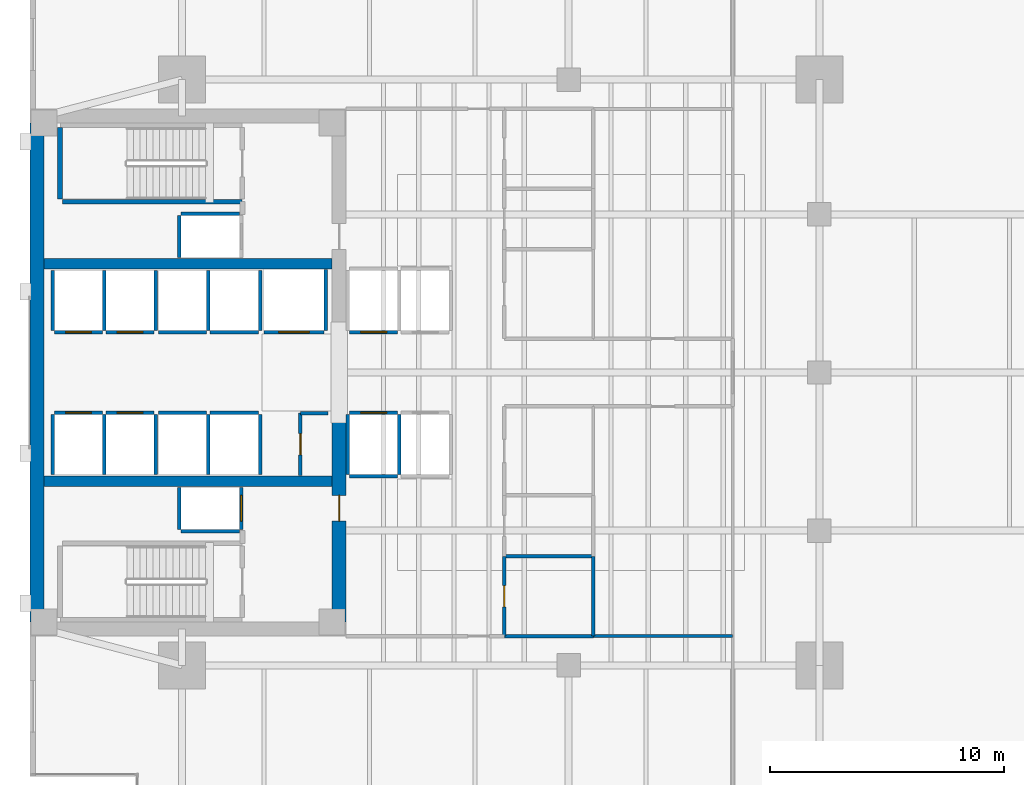
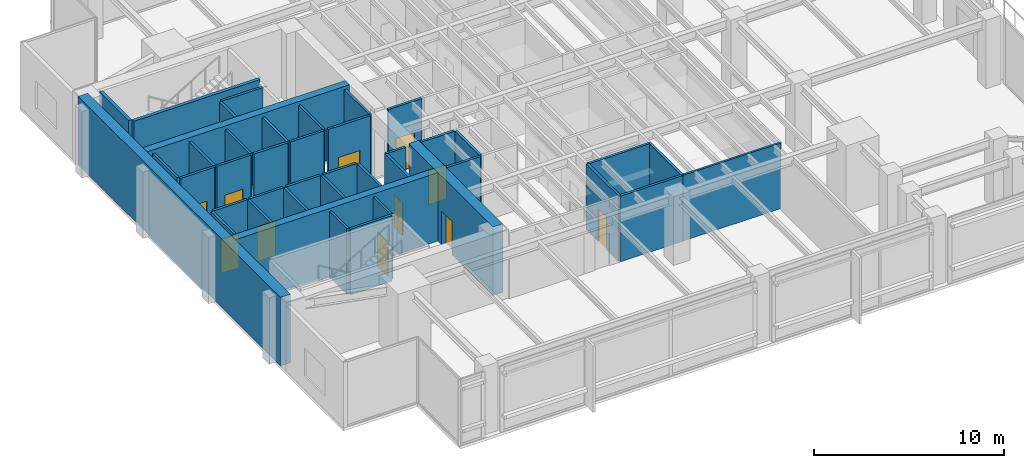
# One storey, part 8 of 14: 43 walls, 11 doors, 11 openings.
"""IFC4 building model written with IfcOpenShell, lengths in metres."""

import ifcopenshell
import ifcopenshell.guid

model = None  # the IFC model being written
_history = None  # IfcOwnerHistory: only IFC2X3 demands one
_inside = {}  # id of a spatial element -> (the spatial element, [elements in it])
_under = {}  # id of a project, library or spatial element -> (it, [spatial elements below it])
_declared = {}  # id of a project -> (the project, [libraries it declares])
_typed = {}  # id of a type object -> (the type object, [elements of that type])
_made_of = {}  # id of a material, layer set ... -> (it, [elements and type objects made of it])


def new_model(schema):
    """Start an empty IFC model of exactly this schema.

    Asked for "IFC4X3", IfcOpenShell would pick the latest addendum, in which some entities
    have other attributes; the version numbers below select the first issue.
    IFC2X3 requires an IfcOwnerHistory on every rooted entity: one is made here for all.
    """
    global model, _history
    if schema == "IFC4X3":
        model = ifcopenshell.file(schema_version=(4, 3, 0, 0))
    else:
        model = ifcopenshell.file(schema=schema)
    _inside.clear()
    _under.clear()
    _declared.clear()
    _typed.clear()
    _made_of.clear()
    _history = None
    if model.schema == "IFC2X3":
        org = make("IfcOrganization", Name="unknown")
        user = make(
            "IfcPersonAndOrganization",
            ThePerson=make("IfcPerson", FamilyName="unknown"),
            TheOrganization=org,
        )
        app = make(
            "IfcApplication",
            ApplicationDeveloper=org,
            Version="unknown",
            ApplicationFullName="unknown",
            ApplicationIdentifier="unknown",
        )
        _history = make(
            "IfcOwnerHistory",
            OwningUser=user,
            OwningApplication=app,
            ChangeAction="ADDED",
            CreationDate=0,
        )
    return model


def make(cls, **values):
    """One entity of the class cls with the attributes given. An attribute that is None is left unset."""
    return model.create_entity(
        cls, **{name: value for name, value in values.items() if value is not None}
    )


def rooted(cls, **values):
    """An entity with a GlobalId (a new one), such as an element, a storey or a relation."""
    return make(cls, GlobalId=ifcopenshell.guid.new(), OwnerHistory=_history, **values)


def si_unit(unit_type, name, prefix=None):
    """IfcSIUnit, for example si_unit("LENGTHUNIT", "METRE", prefix="MILLI")."""
    return make("IfcSIUnit", UnitType=unit_type, Prefix=prefix, Name=name)


def assignment(units):
    """IfcUnitAssignment: the units of a project."""
    return None if units is None else make("IfcUnitAssignment", Units=units)


def point(xyz):
    """IfcCartesianPoint."""
    return None if xyz is None else make("IfcCartesianPoint", Coordinates=xyz)


def direction(xyz):
    """IfcDirection."""
    return None if xyz is None else make("IfcDirection", DirectionRatios=xyz)


def frame(location, z_axis=None, x_axis=None):
    """IfcAxis2Placement3D, a coordinate frame: its origin and axes. An axis left out is left unset."""
    return make(
        "IfcAxis2Placement3D",
        Location=point(location),
        Axis=direction(z_axis),
        RefDirection=direction(x_axis),
    )


def frame_2d(location, x_axis=None):
    """IfcAxis2Placement2D, a coordinate frame in the plane: its origin and x axis."""
    return make(
        "IfcAxis2Placement2D", Location=point(location), RefDirection=direction(x_axis)
    )


def origin():
    """The frame at (0, 0, 0) with its axes left unset."""
    return frame((0.0, 0.0, 0.0))


def place(relative_to, where):
    """IfcLocalPlacement: puts the frame where relative to a parent placement (None: the world)."""
    return make(
        "IfcLocalPlacement", PlacementRelTo=relative_to, RelativePlacement=where
    )


def context(
    kind, dimensions, precision=None, world=None, true_north=None, identifier=None
):
    """IfcGeometricRepresentationContext, for example the 3D "Model" context."""
    return make(
        "IfcGeometricRepresentationContext",
        ContextIdentifier=identifier,
        ContextType=kind,
        CoordinateSpaceDimension=dimensions,
        Precision=precision,
        WorldCoordinateSystem=world,
        TrueNorth=true_north,
    )


def subcontext(parent, identifier, kind, view, scale=None):
    """IfcGeometricRepresentationSubContext, for example "Body" below "Model"."""
    return make(
        "IfcGeometricRepresentationSubContext",
        ContextIdentifier=identifier,
        ContextType=kind,
        ParentContext=parent,
        TargetScale=scale,
        TargetView=view,
    )


def project(units=None, contexts=None):
    """IfcProject with its units and contexts."""
    return rooted(
        "IfcProject",
        Name="project",
        RepresentationContexts=contexts,
        UnitsInContext=assignment(units),
    )


def spatial(cls, under=None, at=None, **own):
    """A site, building, storey or space (cls), placed at a placement, below another one or the project."""
    s = rooted(cls, ObjectPlacement=at, **own)
    if under is not None:
        _under.setdefault(under.id(), (under, []))[1].append(s)
    return s


def profile(cls, at=None, kind="AREA", **sizes):
    """A parametric profile (cls). Its sizes go by their IFC names, for example OverallWidth=200.0."""
    return make(cls, ProfileType=kind, Position=at, **sizes)


def rectangle(**sizes):
    """IfcRectangleProfileDef."""
    return profile("IfcRectangleProfileDef", **sizes)


def extrude(swept, where, along, depth):
    """IfcExtrudedAreaSolid: the profile swept, set in the frame where, extruded along a direction by depth."""
    return make(
        "IfcExtrudedAreaSolid",
        SweptArea=swept,
        Position=where,
        ExtrudedDirection=direction(along),
        Depth=depth,
    )


def shape(context_of_items, identifier, shape_type, items):
    """IfcShapeRepresentation: the items that make up one representation, for example the "Body"."""
    return make(
        "IfcShapeRepresentation",
        ContextOfItems=context_of_items,
        RepresentationIdentifier=identifier,
        RepresentationType=shape_type,
        Items=items,
    )


def material(Name=None, Category=None):
    """IfcMaterial."""
    return make("IfcMaterial", Name=Name, Category=Category)


def layer(
    of_material, thickness, ventilated=None, Name=None, Category=None, Priority=None
):
    """IfcMaterialLayer: one layer of a wall or slab, of a material (None: an air gap)."""
    return make(
        "IfcMaterialLayer",
        Material=of_material,
        LayerThickness=thickness,
        IsVentilated=ventilated,
        Name=Name,
        Category=Category,
        Priority=Priority,
    )


def layer_set(layers, Name=None):
    """IfcMaterialLayerSet."""
    return make("IfcMaterialLayerSet", MaterialLayers=layers, LayerSetName=Name)


def made_of(thing, what):
    """Note that an element or type object is made of a material, layer set ...; save() writes the relation."""
    if what is not None:
        _made_of.setdefault(what.id(), (what, []))[1].append(thing)
    return thing


def type_object(cls, material=None, **own):
    """A type object (cls), such as IfcWallType, which elements share."""
    return made_of(rooted(cls, **own), material)


def element(
    cls,
    number,
    at=None,
    inside=None,
    cuts=None,
    type_object=None,
    material=None,
    context=None,
    identifier="Body",
    shape_type=None,
    held_by="IfcProductDefinitionShape",
    body=None,
    shapes=None,
    **own,
):
    """One element of the class cls, such as IfcWall. Its Tag is "e" and its number.

    at: its placement. inside: the storey or other place that contains it. cuts: it is an
    opening in that element (IfcRelVoidsElement). A single representation is given by context,
    identifier, shape_type and body (its items); several are given by shapes. held_by: the class
    of the entity that holds the representations. save() writes the other relations.
    """
    e = rooted(cls, Tag="e%d" % number, ObjectPlacement=at, **own)
    if body is not None:
        shapes = [shape(context, identifier, shape_type, body)]
    if shapes is not None:
        e.Representation = make(held_by, Representations=shapes)
    if inside is not None:
        _inside.setdefault(inside.id(), (inside, []))[1].append(e)
    if cuts is not None:
        rooted(
            "IfcRelVoidsElement", RelatingBuildingElement=cuts, RelatedOpeningElement=e
        )
    if type_object is not None:
        _typed.setdefault(type_object.id(), (type_object, []))[1].append(e)
    return made_of(e, material)


def fill(opening, filler):
    """IfcRelFillsElement: the door or window that sits in an opening."""
    return rooted(
        "IfcRelFillsElement",
        RelatingOpeningElement=opening,
        RelatedBuildingElement=filler,
    )


def aggregate(whole, parts):
    """IfcRelAggregates: a whole, such as a stair, and the parts it consists of."""
    return rooted("IfcRelAggregates", RelatingObject=whole, RelatedObjects=parts)


def save(model, path):
    """Write the relations noted so far, then the file.

    IfcRelAggregates (storeys below a building ...), IfcRelContainedInSpatialStructure (elements
    in a storey), IfcRelDefinesByType, IfcRelAssociatesMaterial and IfcRelDeclares: one each for
    every whole, place, type object, material and project.
    """
    for whole, parts in _under.values():
        aggregate(whole, parts)
    for where, things in _inside.values():
        rooted(
            "IfcRelContainedInSpatialStructure",
            RelatedElements=things,
            RelatingStructure=where,
        )
    for kind, things in _typed.values():
        rooted("IfcRelDefinesByType", RelatedObjects=things, RelatingType=kind)
    for what, things in _made_of.values():
        rooted("IfcRelAssociatesMaterial", RelatedObjects=things, RelatingMaterial=what)
    for by, libraries in _declared.values():
        rooted("IfcRelDeclares", RelatingContext=by, RelatedDefinitions=libraries)
    model.write(path)


model = new_model("IFC4")

# Units and contexts
model_context = context("Model", 3, precision=1e-05, world=origin(), true_north=direction((0.0, 1.0)))
body_context = subcontext(model_context, "Body", "Model", "MODEL_VIEW")
ifc_project = project(units=[si_unit("LENGTHUNIT", "METRE"), si_unit("AREAUNIT", "SQUARE_METRE"), si_unit("VOLUMEUNIT", "CUBIC_METRE"), si_unit("PLANEANGLEUNIT", "RADIAN"), si_unit("MASSUNIT", "GRAM", prefix="KILO")], contexts=[model_context])

# Site, building, storey
site_placement = place(None, origin())
site = spatial("IfcSite", under=ifc_project, at=site_placement, CompositionType="ELEMENT")
building_placement = place(site_placement, origin())
building = spatial("IfcBuilding", under=site, at=building_placement, Name="Kinhvarn Gate Tower", CompositionType="ELEMENT")
storey_placement = place(building_placement, frame((0.0, 0.0, 97.85009765625)))
storey = spatial("IfcBuildingStorey", under=building, at=storey_placement, Name="L25", CompositionType="ELEMENT", Elevation=97.85009765625)

# Walls
ifc_material_1 = material(Name="Concrete C50/60", Category="concrete")
ifc_layer_1 = layer(ifc_material_1, 0.449951171875)
ifc_layer_set_1 = layer_set([ifc_layer_1], Name="Concrete C50/60")
wall_type_1 = type_object("IfcWallType", Name="WL-CORE-450", PredefinedType="SHEAR", material=ifc_layer_set_1)
for number, where, z_axis, x_axis, name in (
    (1, (5.10009765625, 20.60009765625, 0.0), (0.0, 0.0, 1.0), (1.0, 0.0, 0.0), "Core South Spine Shear Wall L25 450 mm"),
    (2, (5.10009765625, 29.89990234375, 0.0), (0.0, 0.0, 1.0), (1.0, 0.0, 0.0), "Core North Spine Shear Wall L25 450 mm"),
):
    element("IfcWall", number, at=place(storey_placement, frame(where, z_axis=z_axis, x_axis=x_axis)), inside=storey, type_object=wall_type_1, Name=name, PredefinedType="SHEAR", context=body_context, shape_type="SweptSolid", body=[
        extrude(rectangle(XDim=12.2998046875, YDim=0.449951171875, at=frame_2d((6.14990234375, 0.0))), origin(), (0.0, 0.0, 1.0), 4.39990234375),
    ])

# Wall, opening, door
ifc_material_2 = material(Name="Concrete C60/75", Category="concrete")
ifc_layer_2 = layer(ifc_material_2, 0.60009765625)
ifc_layer_set_2 = layer_set([ifc_layer_2], Name="Concrete C60/75")
wall_type_2 = type_object("IfcWallType", Name="WL-CORE-600", PredefinedType="SHEAR", material=ifc_layer_set_2)
wall_1_placement = place(storey_placement, frame((17.699951171875, 14.60009765625, 0.0), z_axis=(0.0, 0.0, 1.0), x_axis=(0.0, 1.0, 0.0)))
wall_1 = element("IfcWall", 3, at=wall_1_placement, inside=storey, type_object=wall_type_2, Name="Core East-South Shear Pier L25 600 mm", PredefinedType="SHEAR", context=body_context, shape_type="SweptSolid", body=[
    extrude(rectangle(XDim=8.849853515625, YDim=0.60009765625, at=frame_2d((4.4248046875, 0.0))), origin(), (0.0, 0.0, 1.0), 4.39990234375),
])
opening_1_placement = place(wall_1_placement, frame((4.300048828125, 0.0, 0.0)))
opening_1 = element("IfcOpeningElement", 4, at=opening_1_placement, cuts=wall_1, Name="Opening FD-02", PredefinedType="OPENING", context=body_context, shape_type="SweptSolid", body=[
    extrude(rectangle(XDim=1.10009765625, YDim=2.14990234375, at=frame_2d((0.550048828125, 1.074951171875))), frame((0.0, 0.31005859375, 0.0), z_axis=(0.0, -1.0, 0.0), x_axis=(1.0, 0.0, 0.0)), (0.0, 0.0, 1.0), 0.6201171875),
])
ifc_material_3 = material(Name="Anodised aluminium AW-6063", Category="aluminium")
door_type_1 = type_object("IfcDoorType", Name="DR-FD-1100", OperationType="NOTDEFINED", PredefinedType="DOOR", material=ifc_material_3)
door_1_placement = place(opening_1_placement, origin())
door_1 = element("IfcDoor", 5, at=door_1_placement, inside=storey, type_object=door_type_1, Name="Firefighting Lobby Core Door (L25)", OperationType="SINGLE_SWING_RIGHT", OverallHeight=2.14990234375, OverallWidth=1.10009765625, PredefinedType="DOOR", context=body_context, shape_type="SweptSolid", body=[
    extrude(rectangle(XDim=1.10009765625, YDim=2.14990234375, at=frame_2d((0.550048828125, 1.074951171875))), frame((0.0, 0.02490234375, 0.0), z_axis=(0.0, -1.0, 0.0), x_axis=(1.0, 0.0, 0.0)), (0.0, 0.0, 1.0), 0.050048828125),
])
fill(opening_1, door_1)

# Walls
ifc_layer_3 = layer(ifc_material_2, 0.60009765625)
ifc_layer_set_3 = layer_set([ifc_layer_3], Name="Concrete C60/75")
wall_type_3 = type_object("IfcWallType", Name="WL-COREX-600", PredefinedType="SHEAR", material=ifc_layer_set_3)
wall_2_placement = place(storey_placement, frame((4.800048828125, 14.60009765625, 0.0), z_axis=(0.0, 0.0, 1.0), x_axis=(0.0, 1.0, 0.0)))
element("IfcWall", 6, at=wall_2_placement, inside=storey, type_object=wall_type_3, Name="Core West Shear Wall L25 600 mm", PredefinedType="SHEAR", context=body_context, shape_type="SweptSolid", body=[
    extrude(rectangle(XDim=21.2998046875, YDim=0.60009765625, at=frame_2d((10.64990234375, 0.0))), origin(), (0.0, 0.0, 1.0), 4.39990234375),
])
ifc_material_4 = material(Name="Gypsum acoustic partition board")
ifc_layer_4 = layer(ifc_material_4, 0.14990234375)
ifc_layer_set_4 = layer_set([ifc_layer_4], Name="Gypsum acoustic partition board")
wall_type_4 = type_object("IfcWallType", Name="WL-PLM-150", PredefinedType="PLUMBINGWALL", material=ifc_layer_set_4)
for number, where, z_axis, x_axis, name in (
    (7, (24.75, 17.39990234375, 0.0), (0.0, 0.0, 1.0), (1.0, 0.0, 0.0), "Interior Partition PLW-150 (L25)"),
    (8, (24.75, 14.0, 0.0), (0.0, 0.0, 1.0), (1.0, 0.0, 0.0), "Interior Partition PLW-150 (L25)"),
):
    element("IfcWall", number, at=place(storey_placement, frame(where, z_axis=z_axis, x_axis=x_axis)), inside=storey, type_object=wall_type_4, Name=name, PredefinedType="PLUMBINGWALL", context=body_context, shape_type="SweptSolid", body=[
        extrude(rectangle(XDim=3.800048828125, YDim=0.14990234375, at=frame_2d((1.89990234375, 0.0))), origin(), (0.0, 0.0, 1.0), 4.219970703125),
    ])
wall_3_placement = place(storey_placement, frame((28.550048828125, 14.0, 0.0), z_axis=(0.0, 0.0, 1.0), x_axis=(0.0, 1.0, 0.0)))
element("IfcWall", 9, at=wall_3_placement, inside=storey, type_object=wall_type_4, Name="Interior Partition PLW-150 (L25)", PredefinedType="PLUMBINGWALL", context=body_context, shape_type="SweptSolid", body=[
    extrude(rectangle(XDim=3.39990234375, YDim=0.14990234375, at=frame_2d((1.699951171875, 0.0))), origin(), (0.0, 0.0, 1.0), 4.219970703125),
])

# Wall, opening, door
ifc_layer_5 = layer(ifc_material_4, 0.14990234375)
ifc_layer_set_5 = layer_set([ifc_layer_5], Name="Gypsum acoustic partition board")
wall_type_5 = type_object("IfcWallType", Name="WL-PLM-150F", PredefinedType="PLUMBINGWALL", material=ifc_layer_set_5)
wall_4_placement = place(storey_placement, frame((24.75, 14.0, 0.0), z_axis=(0.0, 0.0, 1.0), x_axis=(0.0, 1.0, 0.0)))
wall_4 = element("IfcWall", 10, at=wall_4_placement, inside=storey, type_object=wall_type_5, Name="Interior Partition PLW-150F (L25)", PredefinedType="PLUMBINGWALL", context=body_context, shape_type="SweptSolid", body=[
    extrude(rectangle(XDim=3.39990234375, YDim=0.14990234375, at=frame_2d((1.699951171875, 0.0))), origin(), (0.0, 0.0, 1.0), 4.219970703125),
])
opening_2_placement = place(wall_4_placement, frame((1.25, 0.0, 0.0)))
opening_2 = element("IfcOpeningElement", 11, at=opening_2_placement, cuts=wall_4, Name="Opening FD-04", PredefinedType="OPENING", context=body_context, shape_type="SweptSolid", body=[
    extrude(rectangle(XDim=0.89990234375, YDim=2.10009765625, at=frame_2d((0.449951171875, 1.050048828125))), frame((0.0, 0.0849609375, 0.0), z_axis=(0.0, -1.0, 0.0), x_axis=(1.0, 0.0, 0.0)), (0.0, 0.0, 1.0), 0.169921875),
])
door_type_2 = type_object("IfcDoorType", Name="DR-FD-900", OperationType="NOTDEFINED", PredefinedType="DOOR", material=ifc_material_3)
door_2_placement = place(opening_2_placement, origin())
door_2 = element("IfcDoor", 12, at=door_2_placement, inside=storey, type_object=door_type_2, Name="Rated Riser & Service Closet Fire Door 900x2100 mm (L25)", OperationType="SINGLE_SWING_LEFT", OverallHeight=2.10009765625, OverallWidth=0.89990234375, PredefinedType="DOOR", context=body_context, shape_type="SweptSolid", body=[
    extrude(rectangle(XDim=0.89990234375, YDim=2.10009765625, at=frame_2d((0.449951171875, 1.050048828125))), frame((0.0, 0.02490234375, 0.0), z_axis=(0.0, -1.0, 0.0), x_axis=(1.0, 0.0, 0.0)), (0.0, 0.0, 1.0), 0.050048828125),
])
fill(opening_2, door_2)

# Wall
ifc_layer_6 = layer(ifc_material_4, 0.1201171875)
ifc_layer_set_6 = layer_set([ifc_layer_6], Name="Gypsum acoustic partition board")
wall_type_6 = type_object("IfcWallType", Name="WL-PRT-120", PredefinedType="PARTITIONING", material=ifc_layer_set_6)
wall_5_placement = place(storey_placement, frame((28.550048828125, 14.0, 0.0), z_axis=(0.0, 0.0, 1.0), x_axis=(1.0, 0.0, 0.0)))
element("IfcWall", 13, at=wall_5_placement, inside=storey, type_object=wall_type_6, Name="Interior Partition PW-120 (L25)", PredefinedType="PARTITIONING", context=body_context, shape_type="SweptSolid", body=[
    extrude(rectangle(XDim=5.949951171875, YDim=0.1201171875, at=frame_2d((2.97509765625, 0.0))), origin(), (0.0, 0.0, 1.0), 4.219970703125),
])

# Wall, opening, door
ifc_layer_7 = layer(ifc_material_4, 0.14990234375)
ifc_layer_set_7 = layer_set([ifc_layer_7], Name="Gypsum acoustic partition board")
wall_type_7 = type_object("IfcWallType", Name="WL-PRT-150F", PredefinedType="PARTITIONING", material=ifc_layer_set_7)
wall_6_placement = place(storey_placement, frame((16.050048828125, 20.85009765625, 0.0), z_axis=(0.0, 0.0, 1.0), x_axis=(0.0, 1.0, 0.0)))
wall_6 = element("IfcWall", 14, at=wall_6_placement, inside=storey, type_object=wall_type_7, Name="Interior Partition PW-150F (L25)", PredefinedType="PARTITIONING", context=body_context, shape_type="SweptSolid", body=[
    extrude(rectangle(XDim=2.669921875, YDim=0.14990234375, at=frame_2d((1.3349609375, 0.0))), origin(), (0.0, 0.0, 1.0), 4.219970703125),
])
opening_3_placement = place(wall_6_placement, frame((0.885009765625, 0.0, 0.0)))
opening_3 = element("IfcOpeningElement", 15, at=opening_3_placement, cuts=wall_6, Name="Opening FD-04", PredefinedType="OPENING", context=body_context, shape_type="SweptSolid", body=[
    extrude(rectangle(XDim=0.89990234375, YDim=2.10009765625, at=frame_2d((0.449951171875, 1.050048828125))), frame((0.0, 0.0849609375, 0.0), z_axis=(0.0, -1.0, 0.0), x_axis=(1.0, 0.0, 0.0)), (0.0, 0.0, 1.0), 0.169921875),
])
door_3_placement = place(opening_3_placement, origin())
door_3 = element("IfcDoor", 16, at=door_3_placement, inside=storey, type_object=door_type_2, Name="Rated Riser & Service Closet Fire Door 900x2100 mm (L25)", OperationType="SINGLE_SWING_RIGHT", OverallHeight=2.10009765625, OverallWidth=0.89990234375, PredefinedType="DOOR", context=body_context, shape_type="SweptSolid", body=[
    extrude(rectangle(XDim=0.89990234375, YDim=2.10009765625, at=frame_2d((0.449951171875, 1.050048828125))), frame((0.0, 0.02490234375, 0.0), z_axis=(0.0, -1.0, 0.0), x_axis=(1.0, 0.0, 0.0)), (0.0, 0.0, 1.0), 0.050048828125),
])
fill(opening_3, door_3)

# Walls
wall_7_placement = place(storey_placement, frame((16.050048828125, 23.52001953125, 0.0), z_axis=(0.0, 0.0, 1.0), x_axis=(1.0, 0.0, 0.0)))
element("IfcWall", 17, at=wall_7_placement, inside=storey, type_object=wall_type_7, Name="Interior Partition PW-150F (L25)", PredefinedType="PARTITIONING", context=body_context, shape_type="SweptSolid", body=[
    extrude(rectangle(XDim=1.169921875, YDim=0.14990234375, at=frame_2d((0.5849609375, 0.0))), origin(), (0.0, 0.0, 1.0), 4.219970703125),
])
ifc_layer_8 = layer(ifc_material_4, 0.14990234375)
ifc_layer_set_8 = layer_set([ifc_layer_8], Name="Gypsum acoustic partition board")
wall_type_8 = type_object("IfcWallType", Name="WL-SHF-150", PredefinedType="PARTITIONING", material=ifc_layer_set_8)
wall_8_placement = place(storey_placement, frame((18.14990234375, 20.824951171875, 0.0), z_axis=(0.0, 0.0, 1.0), x_axis=(1.0, 0.0, 0.0)))
element("IfcWall", 18, at=wall_8_placement, inside=storey, type_object=wall_type_8, Name="Elevator PL-01 Hoistway Wall S (L25)", PredefinedType="PARTITIONING", context=body_context, shape_type="SweptSolid", body=[
    extrude(rectangle(XDim=2.050048828125, YDim=0.14990234375, at=frame_2d((1.02490234375, 0.0))), origin(), (0.0, 0.0, 1.0), 4.219970703125),
])

# Wall, opening, door
wall_9_placement = place(storey_placement, frame((18.14990234375, 23.52490234375, 0.0), z_axis=(0.0, 0.0, 1.0), x_axis=(1.0, 0.0, 0.0)))
wall_9 = element("IfcWall", 19, at=wall_9_placement, inside=storey, type_object=wall_type_8, Name="Elevator PL-01 Landing Wall (L25)", PredefinedType="PARTITIONING", context=body_context, shape_type="SweptSolid", body=[
    extrude(rectangle(XDim=2.050048828125, YDim=0.14990234375, at=frame_2d((1.02490234375, 0.0))), origin(), (0.0, 0.0, 1.0), 4.219970703125),
])
opening_4_placement = place(wall_9_placement, frame((0.47509765625, 0.0, 0.0)))
opening_4 = element("IfcOpeningElement", 20, at=opening_4_placement, cuts=wall_9, Name="Opening LD-01", PredefinedType="OPENING", context=body_context, shape_type="SweptSolid", body=[
    extrude(rectangle(XDim=1.10009765625, YDim=2.199951171875, at=frame_2d((0.550048828125, 1.10009765625))), frame((0.0, 0.0849609375, 0.0), z_axis=(0.0, -1.0, 0.0), x_axis=(1.0, 0.0, 0.0)), (0.0, 0.0, 1.0), 0.169921875),
])
door_type_3 = type_object("IfcDoorType", Name="DR-LND-PAS", OperationType="NOTDEFINED", PredefinedType="DOOR", material=ifc_material_3)
door_4_placement = place(opening_4_placement, origin())
door_4 = element("IfcDoor", 21, at=door_4_placement, inside=storey, type_object=door_type_3, Name="Elevator PL-01 Sliding Landing Door (L25)", OperationType="DOUBLE_DOOR_SLIDING", OverallHeight=2.199951171875, OverallWidth=1.10009765625, PredefinedType="DOOR", context=body_context, shape_type="SweptSolid", body=[
    extrude(rectangle(XDim=1.10009765625, YDim=2.199951171875, at=frame_2d((0.550048828125, 1.10009765625))), frame((0.0, 0.02490234375, 0.0), z_axis=(0.0, -1.0, 0.0), x_axis=(1.0, 0.0, 0.0)), (0.0, 0.0, 1.0), 0.050048828125),
])
fill(opening_4, door_4)

# Walls
for number, where, z_axis, x_axis, name in (
    (22, (18.074951171875, 20.89990234375, 0.0), (0.0, 0.0, 1.0), (0.0, 1.0, 0.0), "Elevator PL-01 Hoistway Wall W (L25)"),
    (23, (20.27490234375, 20.89990234375, 0.0), (0.0, 0.0, 1.0), (0.0, 1.0, 0.0), "Elevator PL-01 Hoistway Wall E (L25)"),
):
    element("IfcWall", number, at=place(storey_placement, frame(where, z_axis=z_axis, x_axis=x_axis)), inside=storey, type_object=wall_type_8, Name=name, PredefinedType="PARTITIONING", context=body_context, shape_type="SweptSolid", body=[
        extrude(rectangle(XDim=2.550048828125, YDim=0.14990234375, at=frame_2d((1.27490234375, 0.0))), origin(), (0.0, 0.0, 1.0), 4.219970703125),
    ])

# Wall, opening, door
wall_10_placement = place(storey_placement, frame((18.14990234375, 26.97509765625, 0.0), z_axis=(0.0, 0.0, 1.0), x_axis=(1.0, 0.0, 0.0)))
wall_10 = element("IfcWall", 24, at=wall_10_placement, inside=storey, type_object=wall_type_8, Name="Elevator PL-03 Landing Wall (L25)", PredefinedType="PARTITIONING", context=body_context, shape_type="SweptSolid", body=[
    extrude(rectangle(XDim=2.050048828125, YDim=0.14990234375, at=frame_2d((1.02490234375, 0.0))), origin(), (0.0, 0.0, 1.0), 4.219970703125),
])
opening_5_placement = place(wall_10_placement, frame((0.47509765625, 0.0, 0.0)))
opening_5 = element("IfcOpeningElement", 25, at=opening_5_placement, cuts=wall_10, Name="Opening LD-01", PredefinedType="OPENING", context=body_context, shape_type="SweptSolid", body=[
    extrude(rectangle(XDim=1.10009765625, YDim=2.199951171875, at=frame_2d((0.550048828125, 1.10009765625))), frame((0.0, 0.0849609375, 0.0), z_axis=(0.0, -1.0, 0.0), x_axis=(1.0, 0.0, 0.0)), (0.0, 0.0, 1.0), 0.169921875),
])
door_5_placement = place(opening_5_placement, origin())
door_5 = element("IfcDoor", 26, at=door_5_placement, inside=storey, type_object=door_type_3, Name="Elevator PL-03 Sliding Landing Door (L25)", OperationType="DOUBLE_DOOR_SLIDING", OverallHeight=2.199951171875, OverallWidth=1.10009765625, PredefinedType="DOOR", context=body_context, shape_type="SweptSolid", body=[
    extrude(rectangle(XDim=1.10009765625, YDim=2.199951171875, at=frame_2d((0.550048828125, 1.10009765625))), frame((0.0, 0.02490234375, 0.0), z_axis=(0.0, -1.0, 0.0), x_axis=(1.0, 0.0, 0.0)), (0.0, 0.0, 1.0), 0.050048828125),
])
fill(opening_5, door_5)

wall_11_placement = place(storey_placement, frame((5.550048828125, 23.52490234375, 0.0), z_axis=(0.0, 0.0, 1.0), x_axis=(1.0, 0.0, 0.0)))
wall_11 = element("IfcWall", 27, at=wall_11_placement, inside=storey, type_object=wall_type_8, Name="Elevator PM-05 Landing Wall (L25)", PredefinedType="PARTITIONING", context=body_context, shape_type="SweptSolid", body=[
    extrude(rectangle(XDim=2.050048828125, YDim=0.14990234375, at=frame_2d((1.02490234375, 0.0))), origin(), (0.0, 0.0, 1.0), 4.219970703125),
])
opening_6_placement = place(wall_11_placement, frame((0.47509765625, 0.0, 0.0)))
opening_6 = element("IfcOpeningElement", 28, at=opening_6_placement, cuts=wall_11, Name="Opening LD-01", PredefinedType="OPENING", context=body_context, shape_type="SweptSolid", body=[
    extrude(rectangle(XDim=1.10009765625, YDim=2.199951171875, at=frame_2d((0.550048828125, 1.10009765625))), frame((0.0, 0.0849609375, 0.0), z_axis=(0.0, -1.0, 0.0), x_axis=(1.0, 0.0, 0.0)), (0.0, 0.0, 1.0), 0.169921875),
])
door_6_placement = place(opening_6_placement, origin())
door_6 = element("IfcDoor", 29, at=door_6_placement, inside=storey, type_object=door_type_3, Name="Elevator PM-05 Sliding Landing Door (L25)", OperationType="DOUBLE_DOOR_SLIDING", OverallHeight=2.199951171875, OverallWidth=1.10009765625, PredefinedType="DOOR", context=body_context, shape_type="SweptSolid", body=[
    extrude(rectangle(XDim=1.10009765625, YDim=2.199951171875, at=frame_2d((0.550048828125, 1.10009765625))), frame((0.0, 0.02490234375, 0.0), z_axis=(0.0, -1.0, 0.0), x_axis=(1.0, 0.0, 0.0)), (0.0, 0.0, 1.0), 0.050048828125),
])
fill(opening_6, door_6)

# Walls
for number, where, z_axis, x_axis, name in (
    (30, (5.47509765625, 20.89990234375, 0.0), (0.0, 0.0, 1.0), (0.0, 1.0, 0.0), "Elevator PM-05 Hoistway Wall W (L25)"),
    (31, (7.675048828125, 20.89990234375, 0.0), (0.0, 0.0, 1.0), (0.0, 1.0, 0.0), "Elevator PM-05 Hoistway Wall E (L25)"),
):
    element("IfcWall", number, at=place(storey_placement, frame(where, z_axis=z_axis, x_axis=x_axis)), inside=storey, type_object=wall_type_8, Name=name, PredefinedType="PARTITIONING", context=body_context, shape_type="SweptSolid", body=[
        extrude(rectangle(XDim=2.550048828125, YDim=0.14990234375, at=frame_2d((1.27490234375, 0.0))), origin(), (0.0, 0.0, 1.0), 4.219970703125),
    ])

# Wall, opening, door
wall_12_placement = place(storey_placement, frame((7.75, 23.52490234375, 0.0), z_axis=(0.0, 0.0, 1.0), x_axis=(1.0, 0.0, 0.0)))
wall_12 = element("IfcWall", 32, at=wall_12_placement, inside=storey, type_object=wall_type_8, Name="Elevator PM-06 Landing Wall (L25)", PredefinedType="PARTITIONING", context=body_context, shape_type="SweptSolid", body=[
    extrude(rectangle(XDim=2.050048828125, YDim=0.14990234375, at=frame_2d((1.02490234375, 0.0))), origin(), (0.0, 0.0, 1.0), 4.219970703125),
])
opening_7_placement = place(wall_12_placement, frame((0.47509765625, 0.0, 0.0)))
opening_7 = element("IfcOpeningElement", 33, at=opening_7_placement, cuts=wall_12, Name="Opening LD-01", PredefinedType="OPENING", context=body_context, shape_type="SweptSolid", body=[
    extrude(rectangle(XDim=1.10009765625, YDim=2.199951171875, at=frame_2d((0.550048828125, 1.10009765625))), frame((0.0, 0.0849609375, 0.0), z_axis=(0.0, -1.0, 0.0), x_axis=(1.0, 0.0, 0.0)), (0.0, 0.0, 1.0), 0.169921875),
])
door_7_placement = place(opening_7_placement, origin())
door_7 = element("IfcDoor", 34, at=door_7_placement, inside=storey, type_object=door_type_3, Name="Elevator PM-06 Sliding Landing Door (L25)", OperationType="DOUBLE_DOOR_SLIDING", OverallHeight=2.199951171875, OverallWidth=1.10009765625, PredefinedType="DOOR", context=body_context, shape_type="SweptSolid", body=[
    extrude(rectangle(XDim=1.10009765625, YDim=2.199951171875, at=frame_2d((0.550048828125, 1.10009765625))), frame((0.0, 0.02490234375, 0.0), z_axis=(0.0, -1.0, 0.0), x_axis=(1.0, 0.0, 0.0)), (0.0, 0.0, 1.0), 0.050048828125),
])
fill(opening_7, door_7)

# Wall
wall_13_placement = place(storey_placement, frame((9.875, 20.89990234375, 0.0), z_axis=(0.0, 0.0, 1.0), x_axis=(0.0, 1.0, 0.0)))
element("IfcWall", 35, at=wall_13_placement, inside=storey, type_object=wall_type_8, Name="Elevator PM-06 Hoistway Wall E (L25)", PredefinedType="PARTITIONING", context=body_context, shape_type="SweptSolid", body=[
    extrude(rectangle(XDim=2.550048828125, YDim=0.14990234375, at=frame_2d((1.27490234375, 0.0))), origin(), (0.0, 0.0, 1.0), 4.219970703125),
])

# Wall, opening, door
wall_14_placement = place(storey_placement, frame((5.550048828125, 26.97509765625, 0.0), z_axis=(0.0, 0.0, 1.0), x_axis=(1.0, 0.0, 0.0)))
wall_14 = element("IfcWall", 36, at=wall_14_placement, inside=storey, type_object=wall_type_8, Name="Elevator PM-07 Landing Wall (L25)", PredefinedType="PARTITIONING", context=body_context, shape_type="SweptSolid", body=[
    extrude(rectangle(XDim=2.050048828125, YDim=0.14990234375, at=frame_2d((1.02490234375, 0.0))), origin(), (0.0, 0.0, 1.0), 4.219970703125),
])
opening_8_placement = place(wall_14_placement, frame((0.47509765625, 0.0, 0.0)))
opening_8 = element("IfcOpeningElement", 37, at=opening_8_placement, cuts=wall_14, Name="Opening LD-01", PredefinedType="OPENING", context=body_context, shape_type="SweptSolid", body=[
    extrude(rectangle(XDim=1.10009765625, YDim=2.199951171875, at=frame_2d((0.550048828125, 1.10009765625))), frame((0.0, 0.0849609375, 0.0), z_axis=(0.0, -1.0, 0.0), x_axis=(1.0, 0.0, 0.0)), (0.0, 0.0, 1.0), 0.169921875),
])
door_8_placement = place(opening_8_placement, origin())
door_8 = element("IfcDoor", 38, at=door_8_placement, inside=storey, type_object=door_type_3, Name="Elevator PM-07 Sliding Landing Door (L25)", OperationType="DOUBLE_DOOR_SLIDING", OverallHeight=2.199951171875, OverallWidth=1.10009765625, PredefinedType="DOOR", context=body_context, shape_type="SweptSolid", body=[
    extrude(rectangle(XDim=1.10009765625, YDim=2.199951171875, at=frame_2d((0.550048828125, 1.10009765625))), frame((0.0, 0.02490234375, 0.0), z_axis=(0.0, -1.0, 0.0), x_axis=(1.0, 0.0, 0.0)), (0.0, 0.0, 1.0), 0.050048828125),
])
fill(opening_8, door_8)

# Walls
for number, where, z_axis, x_axis, name in (
    (39, (5.47509765625, 27.050048828125, 0.0), (0.0, 0.0, 1.0), (0.0, 1.0, 0.0), "Elevator PM-07 Hoistway Wall W (L25)"),
    (40, (7.675048828125, 27.050048828125, 0.0), (0.0, 0.0, 1.0), (0.0, 1.0, 0.0), "Elevator PM-07 Hoistway Wall E (L25)"),
):
    element("IfcWall", number, at=place(storey_placement, frame(where, z_axis=z_axis, x_axis=x_axis)), inside=storey, type_object=wall_type_8, Name=name, PredefinedType="PARTITIONING", context=body_context, shape_type="SweptSolid", body=[
        extrude(rectangle(XDim=2.550048828125, YDim=0.14990234375, at=frame_2d((1.27490234375, 0.0))), origin(), (0.0, 0.0, 1.0), 4.219970703125),
    ])

# Wall, opening, door
wall_15_placement = place(storey_placement, frame((7.75, 26.97509765625, 0.0), z_axis=(0.0, 0.0, 1.0), x_axis=(1.0, 0.0, 0.0)))
wall_15 = element("IfcWall", 41, at=wall_15_placement, inside=storey, type_object=wall_type_8, Name="Elevator PM-08 Landing Wall (L25)", PredefinedType="PARTITIONING", context=body_context, shape_type="SweptSolid", body=[
    extrude(rectangle(XDim=2.050048828125, YDim=0.14990234375, at=frame_2d((1.02490234375, 0.0))), origin(), (0.0, 0.0, 1.0), 4.219970703125),
])
opening_9_placement = place(wall_15_placement, frame((0.47509765625, 0.0, 0.0)))
opening_9 = element("IfcOpeningElement", 42, at=opening_9_placement, cuts=wall_15, Name="Opening LD-01", PredefinedType="OPENING", context=body_context, shape_type="SweptSolid", body=[
    extrude(rectangle(XDim=1.10009765625, YDim=2.199951171875, at=frame_2d((0.550048828125, 1.10009765625))), frame((0.0, 0.0849609375, 0.0), z_axis=(0.0, -1.0, 0.0), x_axis=(1.0, 0.0, 0.0)), (0.0, 0.0, 1.0), 0.169921875),
])
door_9_placement = place(opening_9_placement, origin())
door_9 = element("IfcDoor", 43, at=door_9_placement, inside=storey, type_object=door_type_3, Name="Elevator PM-08 Sliding Landing Door (L25)", OperationType="DOUBLE_DOOR_SLIDING", OverallHeight=2.199951171875, OverallWidth=1.10009765625, PredefinedType="DOOR", context=body_context, shape_type="SweptSolid", body=[
    extrude(rectangle(XDim=1.10009765625, YDim=2.199951171875, at=frame_2d((0.550048828125, 1.10009765625))), frame((0.0, 0.02490234375, 0.0), z_axis=(0.0, -1.0, 0.0), x_axis=(1.0, 0.0, 0.0)), (0.0, 0.0, 1.0), 0.050048828125),
])
fill(opening_9, door_9)

# Walls
wall_16_placement = place(storey_placement, frame((9.875, 27.050048828125, 0.0), z_axis=(0.0, 0.0, 1.0), x_axis=(0.0, 1.0, 0.0)))
element("IfcWall", 44, at=wall_16_placement, inside=storey, type_object=wall_type_8, Name="Elevator PM-08 Hoistway Wall E (L25)", PredefinedType="PARTITIONING", context=body_context, shape_type="SweptSolid", body=[
    extrude(rectangle(XDim=2.550048828125, YDim=0.14990234375, at=frame_2d((1.27490234375, 0.0))), origin(), (0.0, 0.0, 1.0), 4.219970703125),
])
wall_17_placement = place(storey_placement, frame((10.0, 23.52490234375, 0.0), z_axis=(0.0, 0.0, 1.0), x_axis=(1.0, 0.0, 0.0)))
element("IfcWall", 45, at=wall_17_placement, inside=storey, type_object=wall_type_8, Name="Elevator PH-09 Landing Wall (L25)", PredefinedType="PARTITIONING", context=body_context, shape_type="SweptSolid", body=[
    extrude(rectangle(XDim=2.050048828125, YDim=0.14990234375, at=frame_2d((1.02490234375, 0.0))), origin(), (0.0, 0.0, 1.0), 4.219970703125),
])
wall_18_placement = place(storey_placement, frame((12.125, 20.89990234375, 0.0), z_axis=(0.0, 0.0, 1.0), x_axis=(0.0, 1.0, 0.0)))
element("IfcWall", 46, at=wall_18_placement, inside=storey, type_object=wall_type_8, Name="Elevator PH-09 Hoistway Wall E (L25)", PredefinedType="PARTITIONING", context=body_context, shape_type="SweptSolid", body=[
    extrude(rectangle(XDim=2.550048828125, YDim=0.14990234375, at=frame_2d((1.27490234375, 0.0))), origin(), (0.0, 0.0, 1.0), 4.219970703125),
])
wall_19_placement = place(storey_placement, frame((12.199951171875, 23.52490234375, 0.0), z_axis=(0.0, 0.0, 1.0), x_axis=(1.0, 0.0, 0.0)))
element("IfcWall", 47, at=wall_19_placement, inside=storey, type_object=wall_type_8, Name="Elevator PH-10 Landing Wall (L25)", PredefinedType="PARTITIONING", context=body_context, shape_type="SweptSolid", body=[
    extrude(rectangle(XDim=2.050048828125, YDim=0.14990234375, at=frame_2d((1.02490234375, 0.0))), origin(), (0.0, 0.0, 1.0), 4.219970703125),
])
wall_20_placement = place(storey_placement, frame((14.324951171875, 20.89990234375, 0.0), z_axis=(0.0, 0.0, 1.0), x_axis=(0.0, 1.0, 0.0)))
element("IfcWall", 48, at=wall_20_placement, inside=storey, type_object=wall_type_8, Name="Elevator PH-10 Hoistway Wall E (L25)", PredefinedType="PARTITIONING", context=body_context, shape_type="SweptSolid", body=[
    extrude(rectangle(XDim=2.550048828125, YDim=0.14990234375, at=frame_2d((1.27490234375, 0.0))), origin(), (0.0, 0.0, 1.0), 4.219970703125),
])
wall_21_placement = place(storey_placement, frame((10.0, 26.97509765625, 0.0), z_axis=(0.0, 0.0, 1.0), x_axis=(1.0, 0.0, 0.0)))
element("IfcWall", 49, at=wall_21_placement, inside=storey, type_object=wall_type_8, Name="Elevator PH-11 Landing Wall (L25)", PredefinedType="PARTITIONING", context=body_context, shape_type="SweptSolid", body=[
    extrude(rectangle(XDim=2.050048828125, YDim=0.14990234375, at=frame_2d((1.02490234375, 0.0))), origin(), (0.0, 0.0, 1.0), 4.219970703125),
])
wall_22_placement = place(storey_placement, frame((12.125, 27.050048828125, 0.0), z_axis=(0.0, 0.0, 1.0), x_axis=(0.0, 1.0, 0.0)))
element("IfcWall", 50, at=wall_22_placement, inside=storey, type_object=wall_type_8, Name="Elevator PH-11 Hoistway Wall E (L25)", PredefinedType="PARTITIONING", context=body_context, shape_type="SweptSolid", body=[
    extrude(rectangle(XDim=2.550048828125, YDim=0.14990234375, at=frame_2d((1.27490234375, 0.0))), origin(), (0.0, 0.0, 1.0), 4.219970703125),
])
wall_23_placement = place(storey_placement, frame((12.199951171875, 26.97509765625, 0.0), z_axis=(0.0, 0.0, 1.0), x_axis=(1.0, 0.0, 0.0)))
element("IfcWall", 51, at=wall_23_placement, inside=storey, type_object=wall_type_8, Name="Elevator PH-12 Landing Wall (L25)", PredefinedType="PARTITIONING", context=body_context, shape_type="SweptSolid", body=[
    extrude(rectangle(XDim=2.050048828125, YDim=0.14990234375, at=frame_2d((1.02490234375, 0.0))), origin(), (0.0, 0.0, 1.0), 4.219970703125),
])
wall_24_placement = place(storey_placement, frame((14.324951171875, 27.050048828125, 0.0), z_axis=(0.0, 0.0, 1.0), x_axis=(0.0, 1.0, 0.0)))
element("IfcWall", 52, at=wall_24_placement, inside=storey, type_object=wall_type_8, Name="Elevator PH-12 Hoistway Wall E (L25)", PredefinedType="PARTITIONING", context=body_context, shape_type="SweptSolid", body=[
    extrude(rectangle(XDim=2.550048828125, YDim=0.14990234375, at=frame_2d((1.27490234375, 0.0))), origin(), (0.0, 0.0, 1.0), 4.219970703125),
])

# Wall, opening, door
wall_25_placement = place(storey_placement, frame((14.5, 26.97509765625, 0.0), z_axis=(0.0, 0.0, 1.0), x_axis=(1.0, 0.0, 0.0)))
wall_25 = element("IfcWall", 53, at=wall_25_placement, inside=storey, type_object=wall_type_8, Name="Elevator SV-01 Landing Wall (L25)", PredefinedType="PARTITIONING", context=body_context, shape_type="SweptSolid", body=[
    extrude(rectangle(XDim=2.550048828125, YDim=0.14990234375, at=frame_2d((1.27490234375, 0.0))), origin(), (0.0, 0.0, 1.0), 4.219970703125),
])
opening_10_placement = place(wall_25_placement, frame((0.625, 0.0, 0.0)))
opening_10 = element("IfcOpeningElement", 54, at=opening_10_placement, cuts=wall_25, Name="Opening LD-02", PredefinedType="OPENING", context=body_context, shape_type="SweptSolid", body=[
    extrude(rectangle(XDim=1.300048828125, YDim=2.199951171875, at=frame_2d((0.64990234375, 1.10009765625))), frame((0.0, 0.0849609375, 0.0), z_axis=(0.0, -1.0, 0.0), x_axis=(1.0, 0.0, 0.0)), (0.0, 0.0, 1.0), 0.169921875),
])
door_type_4 = type_object("IfcDoorType", Name="DR-LND-SRV", OperationType="NOTDEFINED", PredefinedType="DOOR", material=ifc_material_3)
door_10_placement = place(opening_10_placement, origin())
door_10 = element("IfcDoor", 55, at=door_10_placement, inside=storey, type_object=door_type_4, Name="Elevator SV-01 Sliding Landing Door (L25)", OperationType="DOUBLE_DOOR_SLIDING", OverallHeight=2.199951171875, OverallWidth=1.300048828125, PredefinedType="DOOR", context=body_context, shape_type="SweptSolid", body=[
    extrude(rectangle(XDim=1.300048828125, YDim=2.199951171875, at=frame_2d((0.64990234375, 1.10009765625))), frame((0.0, 0.02490234375, 0.0), z_axis=(0.0, -1.0, 0.0), x_axis=(1.0, 0.0, 0.0)), (0.0, 0.0, 1.0), 0.050048828125),
])
fill(opening_10, door_10)

# Walls
wall_26_placement = place(storey_placement, frame((17.125, 27.050048828125, 0.0), z_axis=(0.0, 0.0, 1.0), x_axis=(0.0, 1.0, 0.0)))
element("IfcWall", 56, at=wall_26_placement, inside=storey, type_object=wall_type_8, Name="Elevator SV-01 Hoistway Wall E (L25)", PredefinedType="PARTITIONING", context=body_context, shape_type="SweptSolid", body=[
    extrude(rectangle(XDim=2.599853515625, YDim=0.14990234375, at=frame_2d((1.2998046875, 0.0))), origin(), (0.0, 0.0, 1.0), 4.219970703125),
])
wall_27_placement = place(storey_placement, frame((10.949951171875, 18.47509765625, 0.0), z_axis=(0.0, 0.0, 1.0), x_axis=(1.0, 0.0, 0.0)))
element("IfcWall", 57, at=wall_27_placement, inside=storey, type_object=wall_type_8, Name="Elevator FF1 Hoistway Wall S (L25)", PredefinedType="PARTITIONING", context=body_context, shape_type="SweptSolid", body=[
    extrude(rectangle(XDim=2.5, YDim=0.14990234375, at=frame_2d((1.25, 0.0))), origin(), (0.0, 0.0, 1.0), 4.219970703125),
])
wall_28_placement = place(storey_placement, frame((10.875, 18.550048828125, 0.0), z_axis=(0.0, 0.0, 1.0), x_axis=(0.0, 1.0, 0.0)))
element("IfcWall", 58, at=wall_28_placement, inside=storey, type_object=wall_type_8, Name="Elevator FF1 Hoistway Wall W (L25)", PredefinedType="PARTITIONING", context=body_context, shape_type="SweptSolid", body=[
    extrude(rectangle(XDim=1.800048828125, YDim=0.14990234375, at=frame_2d((0.89990234375, 0.0))), origin(), (0.0, 0.0, 1.0), 4.219970703125),
])

# Wall, opening, door
wall_29_placement = place(storey_placement, frame((13.52490234375, 18.550048828125, 0.0), z_axis=(0.0, 0.0, 1.0), x_axis=(0.0, 1.0, 0.0)))
wall_29 = element("IfcWall", 59, at=wall_29_placement, inside=storey, type_object=wall_type_8, Name="Elevator FF1 Landing Wall (L25)", PredefinedType="PARTITIONING", context=body_context, shape_type="SweptSolid", body=[
    extrude(rectangle(XDim=1.800048828125, YDim=0.14990234375, at=frame_2d((0.89990234375, 0.0))), origin(), (0.0, 0.0, 1.0), 4.219970703125),
])
opening_11_placement = place(wall_29_placement, frame((0.35009765625, 0.0, 0.0)))
opening_11 = element("IfcOpeningElement", 60, at=opening_11_placement, cuts=wall_29, Name="Opening LD-03", PredefinedType="OPENING", context=body_context, shape_type="SweptSolid", body=[
    extrude(rectangle(XDim=1.10009765625, YDim=2.199951171875, at=frame_2d((0.550048828125, 1.10009765625))), frame((0.0, 0.0849609375, 0.0), z_axis=(0.0, -1.0, 0.0), x_axis=(1.0, 0.0, 0.0)), (0.0, 0.0, 1.0), 0.169921875),
])
door_type_5 = type_object("IfcDoorType", Name="DR-LND-FF", OperationType="NOTDEFINED", PredefinedType="DOOR", material=ifc_material_3)
door_11_placement = place(opening_11_placement, origin())
door_11 = element("IfcDoor", 61, at=door_11_placement, inside=storey, type_object=door_type_5, Name="Elevator FF1 Sliding Landing Door (L25)", OperationType="DOUBLE_DOOR_SLIDING", OverallHeight=2.199951171875, OverallWidth=1.10009765625, PredefinedType="DOOR", context=body_context, shape_type="SweptSolid", body=[
    extrude(rectangle(XDim=1.10009765625, YDim=2.199951171875, at=frame_2d((0.550048828125, 1.10009765625))), frame((0.0, 0.02490234375, 0.0), z_axis=(0.0, -1.0, 0.0), x_axis=(1.0, 0.0, 0.0)), (0.0, 0.0, 1.0), 0.050048828125),
])
fill(opening_11, door_11)

# Walls
wall_30_placement = place(storey_placement, frame((10.949951171875, 32.02490234375, 0.0), z_axis=(0.0, 0.0, 1.0), x_axis=(1.0, 0.0, 0.0)))
element("IfcWall", 62, at=wall_30_placement, inside=storey, type_object=wall_type_8, Name="Elevator FF2 Hoistway Wall N (L25)", PredefinedType="PARTITIONING", context=body_context, shape_type="SweptSolid", body=[
    extrude(rectangle(XDim=2.5, YDim=0.14990234375, at=frame_2d((1.25, 0.0))), origin(), (0.0, 0.0, 1.0), 4.219970703125),
])
wall_31_placement = place(storey_placement, frame((10.875, 30.14990234375, 0.0), z_axis=(0.0, 0.0, 1.0), x_axis=(0.0, 1.0, 0.0)))
element("IfcWall", 63, at=wall_31_placement, inside=storey, type_object=wall_type_8, Name="Elevator FF2 Hoistway Wall W (L25)", PredefinedType="PARTITIONING", context=body_context, shape_type="SweptSolid", body=[
    extrude(rectangle(XDim=1.800048828125, YDim=0.14990234375, at=frame_2d((0.89990234375, 0.0))), origin(), (0.0, 0.0, 1.0), 4.219970703125),
])
ifc_material_5 = material(Name="Concrete C40/50", Category="concrete")
ifc_layer_9 = layer(ifc_material_5, 0.199951171875)
ifc_layer_set_9 = layer_set([ifc_layer_9], Name="Concrete C40/50")
wall_type_9 = type_object("IfcWallType", Name="WL-SHF-200", PredefinedType="SOLIDWALL", material=ifc_layer_set_9)
wall_32_placement = place(storey_placement, frame((5.7900390625, 32.64990234375, 0.0), z_axis=(0.0, 0.0, 1.0), x_axis=(0.0, 1.0, 0.0)))
element("IfcWall", 64, at=wall_32_placement, inside=storey, type_object=wall_type_9, Name="Stair ST2 West Shaft Wall (L25)", PredefinedType="SOLIDWALL", context=body_context, shape_type="SweptSolid", body=[
    extrude(rectangle(XDim=3.050048828125, YDim=0.199951171875, at=frame_2d((1.52490234375, 0.0))), origin(), (0.0, 0.0, 1.0), 4.39990234375),
])
wall_33_placement = place(storey_placement, frame((5.89990234375, 32.5400390625, 0.0), z_axis=(0.0, 0.0, 1.0), x_axis=(1.0, 0.0, 0.0)))
element("IfcWall", 65, at=wall_33_placement, inside=storey, type_object=wall_type_9, Name="Stair ST2 South Shaft Wall (L25)", PredefinedType="SOLIDWALL", context=body_context, shape_type="SweptSolid", body=[
    extrude(rectangle(XDim=7.66015625, YDim=0.199951171875, at=frame_2d((3.830078125, 0.0))), origin(), (0.0, 0.0, 1.0), 4.39990234375),
])

save(model, "model.ifc")
